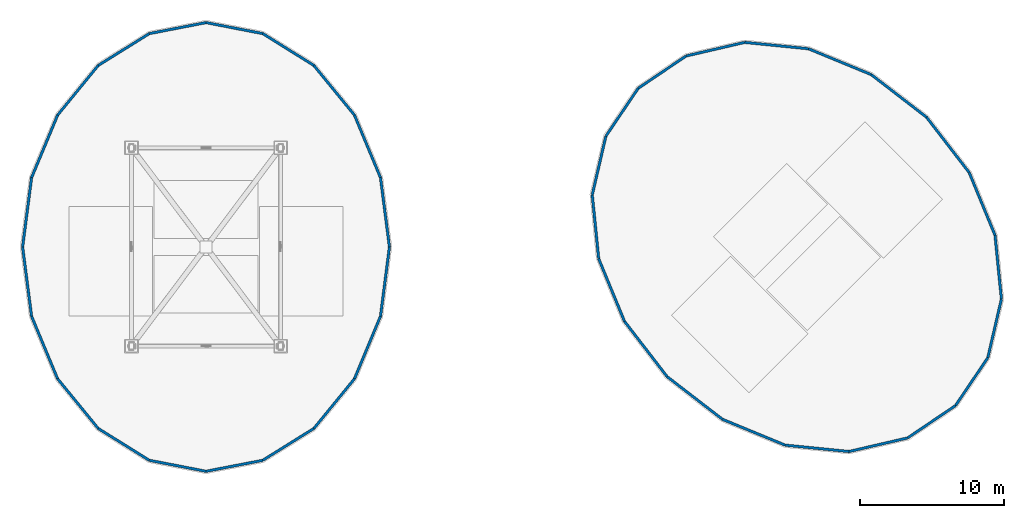
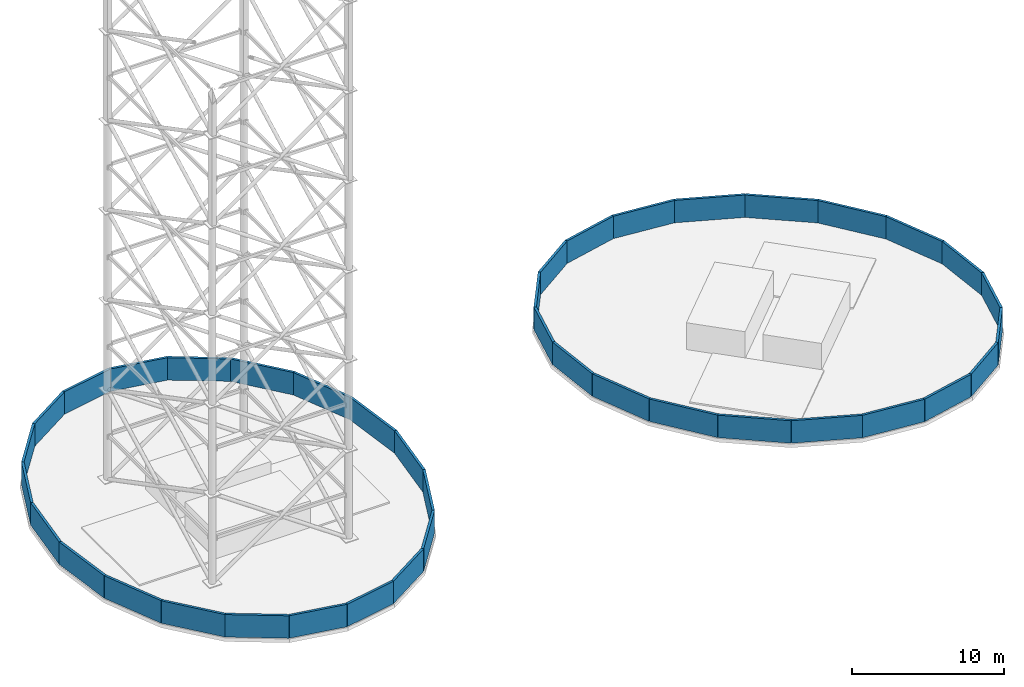
# One storey, part 6 of 7: 40 walls.
"""IFC4 building model written with IfcOpenShell, lengths in metres."""

import ifcopenshell
import ifcopenshell.guid

model = None  # the IFC model being written
_history = None  # IfcOwnerHistory: only IFC2X3 demands one
_inside = {}  # id of a spatial element -> (the spatial element, [elements in it])
_under = {}  # id of a project, library or spatial element -> (it, [spatial elements below it])
_declared = {}  # id of a project -> (the project, [libraries it declares])
_typed = {}  # id of a type object -> (the type object, [elements of that type])
_made_of = {}  # id of a material, layer set ... -> (it, [elements and type objects made of it])


def new_model(schema):
    """Start an empty IFC model of exactly this schema.

    Asked for "IFC4X3", IfcOpenShell would pick the latest addendum, in which some entities
    have other attributes; the version numbers below select the first issue.
    IFC2X3 requires an IfcOwnerHistory on every rooted entity: one is made here for all.
    """
    global model, _history
    if schema == "IFC4X3":
        model = ifcopenshell.file(schema_version=(4, 3, 0, 0))
    else:
        model = ifcopenshell.file(schema=schema)
    _inside.clear()
    _under.clear()
    _declared.clear()
    _typed.clear()
    _made_of.clear()
    _history = None
    if model.schema == "IFC2X3":
        org = make("IfcOrganization", Name="unknown")
        user = make(
            "IfcPersonAndOrganization",
            ThePerson=make("IfcPerson", FamilyName="unknown"),
            TheOrganization=org,
        )
        app = make(
            "IfcApplication",
            ApplicationDeveloper=org,
            Version="unknown",
            ApplicationFullName="unknown",
            ApplicationIdentifier="unknown",
        )
        _history = make(
            "IfcOwnerHistory",
            OwningUser=user,
            OwningApplication=app,
            ChangeAction="ADDED",
            CreationDate=0,
        )
    return model


def make(cls, **values):
    """One entity of the class cls with the attributes given. An attribute that is None is left unset."""
    return model.create_entity(
        cls, **{name: value for name, value in values.items() if value is not None}
    )


def rooted(cls, **values):
    """An entity with a GlobalId (a new one), such as an element, a storey or a relation."""
    return make(cls, GlobalId=ifcopenshell.guid.new(), OwnerHistory=_history, **values)


def si_unit(unit_type, name, prefix=None):
    """IfcSIUnit, for example si_unit("LENGTHUNIT", "METRE", prefix="MILLI")."""
    return make("IfcSIUnit", UnitType=unit_type, Prefix=prefix, Name=name)


def assignment(units):
    """IfcUnitAssignment: the units of a project."""
    return None if units is None else make("IfcUnitAssignment", Units=units)


def point(xyz):
    """IfcCartesianPoint."""
    return None if xyz is None else make("IfcCartesianPoint", Coordinates=xyz)


def direction(xyz):
    """IfcDirection."""
    return None if xyz is None else make("IfcDirection", DirectionRatios=xyz)


def frame(location, z_axis=None, x_axis=None):
    """IfcAxis2Placement3D, a coordinate frame: its origin and axes. An axis left out is left unset."""
    return make(
        "IfcAxis2Placement3D",
        Location=point(location),
        Axis=direction(z_axis),
        RefDirection=direction(x_axis),
    )


def frame_2d(location, x_axis=None):
    """IfcAxis2Placement2D, a coordinate frame in the plane: its origin and x axis."""
    return make(
        "IfcAxis2Placement2D", Location=point(location), RefDirection=direction(x_axis)
    )


def origin():
    """The frame at (0, 0, 0) with its axes left unset."""
    return frame((0.0, 0.0, 0.0))


def place(relative_to, where):
    """IfcLocalPlacement: puts the frame where relative to a parent placement (None: the world)."""
    return make(
        "IfcLocalPlacement", PlacementRelTo=relative_to, RelativePlacement=where
    )


def context(
    kind, dimensions, precision=None, world=None, true_north=None, identifier=None
):
    """IfcGeometricRepresentationContext, for example the 3D "Model" context."""
    return make(
        "IfcGeometricRepresentationContext",
        ContextIdentifier=identifier,
        ContextType=kind,
        CoordinateSpaceDimension=dimensions,
        Precision=precision,
        WorldCoordinateSystem=world,
        TrueNorth=true_north,
    )


def subcontext(parent, identifier, kind, view, scale=None):
    """IfcGeometricRepresentationSubContext, for example "Body" below "Model"."""
    return make(
        "IfcGeometricRepresentationSubContext",
        ContextIdentifier=identifier,
        ContextType=kind,
        ParentContext=parent,
        TargetScale=scale,
        TargetView=view,
    )


def project(units=None, contexts=None):
    """IfcProject with its units and contexts."""
    return rooted(
        "IfcProject",
        Name="project",
        RepresentationContexts=contexts,
        UnitsInContext=assignment(units),
    )


def spatial(cls, under=None, at=None, **own):
    """A site, building, storey or space (cls), placed at a placement, below another one or the project."""
    s = rooted(cls, ObjectPlacement=at, **own)
    if under is not None:
        _under.setdefault(under.id(), (under, []))[1].append(s)
    return s


def profile(cls, at=None, kind="AREA", **sizes):
    """A parametric profile (cls). Its sizes go by their IFC names, for example OverallWidth=200.0."""
    return make(cls, ProfileType=kind, Position=at, **sizes)


def rectangle(**sizes):
    """IfcRectangleProfileDef."""
    return profile("IfcRectangleProfileDef", **sizes)


def extrude(swept, where, along, depth):
    """IfcExtrudedAreaSolid: the profile swept, set in the frame where, extruded along a direction by depth."""
    return make(
        "IfcExtrudedAreaSolid",
        SweptArea=swept,
        Position=where,
        ExtrudedDirection=direction(along),
        Depth=depth,
    )


def shape(context_of_items, identifier, shape_type, items):
    """IfcShapeRepresentation: the items that make up one representation, for example the "Body"."""
    return make(
        "IfcShapeRepresentation",
        ContextOfItems=context_of_items,
        RepresentationIdentifier=identifier,
        RepresentationType=shape_type,
        Items=items,
    )


def material(Name=None, Category=None):
    """IfcMaterial."""
    return make("IfcMaterial", Name=Name, Category=Category)


def layer(
    of_material, thickness, ventilated=None, Name=None, Category=None, Priority=None
):
    """IfcMaterialLayer: one layer of a wall or slab, of a material (None: an air gap)."""
    return make(
        "IfcMaterialLayer",
        Material=of_material,
        LayerThickness=thickness,
        IsVentilated=ventilated,
        Name=Name,
        Category=Category,
        Priority=Priority,
    )


def layer_set(layers, Name=None):
    """IfcMaterialLayerSet."""
    return make("IfcMaterialLayerSet", MaterialLayers=layers, LayerSetName=Name)


def made_of(thing, what):
    """Note that an element or type object is made of a material, layer set ...; save() writes the relation."""
    if what is not None:
        _made_of.setdefault(what.id(), (what, []))[1].append(thing)
    return thing


def type_object(cls, material=None, **own):
    """A type object (cls), such as IfcWallType, which elements share."""
    return made_of(rooted(cls, **own), material)


def element(
    cls,
    number,
    at=None,
    inside=None,
    cuts=None,
    type_object=None,
    material=None,
    context=None,
    identifier="Body",
    shape_type=None,
    held_by="IfcProductDefinitionShape",
    body=None,
    shapes=None,
    **own,
):
    """One element of the class cls, such as IfcWall. Its Tag is "e" and its number.

    at: its placement. inside: the storey or other place that contains it. cuts: it is an
    opening in that element (IfcRelVoidsElement). A single representation is given by context,
    identifier, shape_type and body (its items); several are given by shapes. held_by: the class
    of the entity that holds the representations. save() writes the other relations.
    """
    e = rooted(cls, Tag="e%d" % number, ObjectPlacement=at, **own)
    if body is not None:
        shapes = [shape(context, identifier, shape_type, body)]
    if shapes is not None:
        e.Representation = make(held_by, Representations=shapes)
    if inside is not None:
        _inside.setdefault(inside.id(), (inside, []))[1].append(e)
    if cuts is not None:
        rooted(
            "IfcRelVoidsElement", RelatingBuildingElement=cuts, RelatedOpeningElement=e
        )
    if type_object is not None:
        _typed.setdefault(type_object.id(), (type_object, []))[1].append(e)
    return made_of(e, material)


def aggregate(whole, parts):
    """IfcRelAggregates: a whole, such as a stair, and the parts it consists of."""
    return rooted("IfcRelAggregates", RelatingObject=whole, RelatedObjects=parts)


def save(model, path):
    """Write the relations noted so far, then the file.

    IfcRelAggregates (storeys below a building ...), IfcRelContainedInSpatialStructure (elements
    in a storey), IfcRelDefinesByType, IfcRelAssociatesMaterial and IfcRelDeclares: one each for
    every whole, place, type object, material and project.
    """
    for whole, parts in _under.values():
        aggregate(whole, parts)
    for where, things in _inside.values():
        rooted(
            "IfcRelContainedInSpatialStructure",
            RelatedElements=things,
            RelatingStructure=where,
        )
    for kind, things in _typed.values():
        rooted("IfcRelDefinesByType", RelatedObjects=things, RelatingType=kind)
    for what, things in _made_of.values():
        rooted("IfcRelAssociatesMaterial", RelatedObjects=things, RelatingMaterial=what)
    for by, libraries in _declared.values():
        rooted("IfcRelDeclares", RelatingContext=by, RelatedDefinitions=libraries)
    model.write(path)


model = new_model("IFC4")

# Units and contexts
model_context = context("Model", 3, precision=1e-05, world=origin(), true_north=direction((0.0, 1.0)))
body_context = subcontext(model_context, "Body", "Model", "MODEL_VIEW")
ifc_project = project(units=[si_unit("LENGTHUNIT", "METRE"), si_unit("AREAUNIT", "SQUARE_METRE"), si_unit("VOLUMEUNIT", "CUBIC_METRE"), si_unit("PLANEANGLEUNIT", "RADIAN"), si_unit("MASSUNIT", "GRAM", prefix="KILO")], contexts=[model_context])

# Site, building, storey
site_placement = place(None, origin())
site = spatial("IfcSite", under=ifc_project, at=site_placement, CompositionType="ELEMENT")
building_placement = place(site_placement, origin())
building = spatial("IfcBuilding", under=site, at=building_placement, Name="Cununo Teusaquillo Station Towers", CompositionType="ELEMENT")
storey_placement = place(building_placement, frame((0.0, 0.0, 244.830078125)))
storey = spatial("IfcBuildingStorey", under=building, at=storey_placement, Name="Roof Drum", CompositionType="ELEMENT", Elevation=244.830078125)

# Walls
ifc_material = material(Name="Ceramic-fritted dark low-E double glazing", Category="glass")
ifc_layer = layer(ifc_material, 0.179931640625)
ifc_layer_set = layer_set([ifc_layer], Name="Ceramic-fritted dark low-E double glazing")
wall_type = type_object("IfcWallType", Name="WL-PAR-180", PredefinedType="PARAPET", material=ifc_layer_set)
wall_1_placement = place(storey_placement, frame((28.60693359375, 29.311279296875, 0.0), z_axis=(0.0, 0.0, 1.0), x_axis=(0.128424799616, -0.991719250012, 0.0)))
element("IfcWall", 1, at=wall_1_placement, inside=storey, type_object=wall_type, Name="Roof Drum Tower A Glazed Parapet C00", PredefinedType="PARAPET", context=body_context, shape_type="SweptSolid", body=[
    extrude(rectangle(XDim=4.8515625, YDim=0.179931640625, at=frame_2d((2.42578125, 0.0))), origin(), (0.0, 0.0, 1.0), 1.7998046875),
])
wall_2_placement = place(storey_placement, frame((26.798828125, 33.65185546875, 0.0), z_axis=(0.0, 0.0, 1.0), x_axis=(0.384530588126, -0.923112250377, 0.0)))
element("IfcWall", 2, at=wall_2_placement, inside=storey, type_object=wall_type, Name="Roof Drum Tower A Glazed Parapet C01", PredefinedType="PARAPET", context=body_context, shape_type="SweptSolid", body=[
    extrude(rectangle(XDim=4.7021484375, YDim=0.179931640625, at=frame_2d((2.35107421875, 0.0))), origin(), (0.0, 0.0, 1.0), 1.7998046875),
])
wall_3_placement = place(storey_placement, frame((23.982421875, 37.096435546875, 0.0), z_axis=(0.0, 0.0, 1.0), x_axis=(0.632983777299, -0.774165058418, 0.0)))
element("IfcWall", 3, at=wall_3_placement, inside=storey, type_object=wall_type, Name="Roof Drum Tower A Glazed Parapet C02", PredefinedType="PARAPET", context=body_context, shape_type="SweptSolid", body=[
    extrude(rectangle(XDim=4.449462890625, YDim=0.179931640625, at=frame_2d((2.224609375, 0.0))), origin(), (0.0, 0.0, 1.0), 1.7998046875),
])
wall_4_placement = place(storey_placement, frame((20.433837890625, 39.307861328125, 0.0), z_axis=(0.0, 0.0, 1.0), x_axis=(0.848689724734, -0.528891057904, 0.0)))
element("IfcWall", 4, at=wall_4_placement, inside=storey, type_object=wall_type, Name="Roof Drum Tower A Glazed Parapet C03", PredefinedType="PARAPET", context=body_context, shape_type="SweptSolid", body=[
    extrude(rectangle(XDim=4.18115234375, YDim=0.179931640625, at=frame_2d((2.090576171875, 0.0))), origin(), (0.0, 0.0, 1.0), 1.7998046875),
])
for number, where, z_axis, x_axis, name in (
    (5, (16.5, 40.070068359375, 0.0), (0.0, 0.0, 1.0), (0.981741697005, -0.190218927453, 0.0), "Roof Drum Tower A Glazed Parapet C04"),
    (6, (12.566162109375, 39.307861328125, 0.0), (0.0, 0.0, 1.0), (0.981741697005, 0.190218927453, 0.0), "Roof Drum Tower A Glazed Parapet C05"),
):
    element("IfcWall", number, at=place(storey_placement, frame(where, z_axis=z_axis, x_axis=x_axis)), inside=storey, type_object=wall_type, Name=name, PredefinedType="PARAPET", context=body_context, shape_type="SweptSolid", body=[
        extrude(rectangle(XDim=4.007080078125, YDim=0.179931640625, at=frame_2d((2.00341796875, 0.0))), origin(), (0.0, 0.0, 1.0), 1.7998046875),
    ])
wall_5_placement = place(storey_placement, frame((9.017578125, 37.096435546875, 0.0), z_axis=(0.0, 0.0, 1.0), x_axis=(0.848689724734, 0.528891057904, 0.0)))
element("IfcWall", 7, at=wall_5_placement, inside=storey, type_object=wall_type, Name="Roof Drum Tower A Glazed Parapet C06", PredefinedType="PARAPET", context=body_context, shape_type="SweptSolid", body=[
    extrude(rectangle(XDim=4.18115234375, YDim=0.179931640625, at=frame_2d((2.090576171875, 0.0))), origin(), (0.0, 0.0, 1.0), 1.7998046875),
])
wall_6_placement = place(storey_placement, frame((6.201171875, 33.65185546875, 0.0), z_axis=(0.0, 0.0, 1.0), x_axis=(0.632983777299, 0.774165058418, 0.0)))
element("IfcWall", 8, at=wall_6_placement, inside=storey, type_object=wall_type, Name="Roof Drum Tower A Glazed Parapet C07", PredefinedType="PARAPET", context=body_context, shape_type="SweptSolid", body=[
    extrude(rectangle(XDim=4.449462890625, YDim=0.179931640625, at=frame_2d((2.224609375, 0.0))), origin(), (0.0, 0.0, 1.0), 1.7998046875),
])
wall_7_placement = place(storey_placement, frame((4.39306640625, 29.311279296875, 0.0), z_axis=(0.0, 0.0, 1.0), x_axis=(0.384530588126, 0.923112250377, 0.0)))
element("IfcWall", 9, at=wall_7_placement, inside=storey, type_object=wall_type, Name="Roof Drum Tower A Glazed Parapet C08", PredefinedType="PARAPET", context=body_context, shape_type="SweptSolid", body=[
    extrude(rectangle(XDim=4.7021484375, YDim=0.179931640625, at=frame_2d((2.35107421875, 0.0))), origin(), (0.0, 0.0, 1.0), 1.7998046875),
])
for number, where, z_axis, x_axis, name in (
    (10, (3.77001953125, 24.5, 0.0), (0.0, 0.0, 1.0), (0.128424799616, 0.991719250012, 0.0), "Roof Drum Tower A Glazed Parapet C09"),
    (11, (4.39306640625, 19.688720703125, 0.0), (0.0, 0.0, 1.0), (-0.128424799616, 0.991719250012, 0.0), "Roof Drum Tower A Glazed Parapet C10"),
):
    element("IfcWall", number, at=place(storey_placement, frame(where, z_axis=z_axis, x_axis=x_axis)), inside=storey, type_object=wall_type, Name=name, PredefinedType="PARAPET", context=body_context, shape_type="SweptSolid", body=[
        extrude(rectangle(XDim=4.8515625, YDim=0.179931640625, at=frame_2d((2.42578125, 0.0))), origin(), (0.0, 0.0, 1.0), 1.7998046875),
    ])
wall_8_placement = place(storey_placement, frame((6.201171875, 15.34814453125, 0.0), z_axis=(0.0, 0.0, 1.0), x_axis=(-0.384530588126, 0.923112250377, 0.0)))
element("IfcWall", 12, at=wall_8_placement, inside=storey, type_object=wall_type, Name="Roof Drum Tower A Glazed Parapet C11", PredefinedType="PARAPET", context=body_context, shape_type="SweptSolid", body=[
    extrude(rectangle(XDim=4.7021484375, YDim=0.179931640625, at=frame_2d((2.35107421875, 0.0))), origin(), (0.0, 0.0, 1.0), 1.7998046875),
])
wall_9_placement = place(storey_placement, frame((9.017578125, 11.903564453125, 0.0), z_axis=(0.0, 0.0, 1.0), x_axis=(-0.632983777299, 0.774165058418, 0.0)))
element("IfcWall", 13, at=wall_9_placement, inside=storey, type_object=wall_type, Name="Roof Drum Tower A Glazed Parapet C12", PredefinedType="PARAPET", context=body_context, shape_type="SweptSolid", body=[
    extrude(rectangle(XDim=4.449462890625, YDim=0.179931640625, at=frame_2d((2.224609375, 0.0))), origin(), (0.0, 0.0, 1.0), 1.7998046875),
])
wall_10_placement = place(storey_placement, frame((12.566162109375, 9.692138671875, 0.0), z_axis=(0.0, 0.0, 1.0), x_axis=(-0.848689724734, 0.528891057904, 0.0)))
element("IfcWall", 14, at=wall_10_placement, inside=storey, type_object=wall_type, Name="Roof Drum Tower A Glazed Parapet C13", PredefinedType="PARAPET", context=body_context, shape_type="SweptSolid", body=[
    extrude(rectangle(XDim=4.18115234375, YDim=0.179931640625, at=frame_2d((2.090576171875, 0.0))), origin(), (0.0, 0.0, 1.0), 1.7998046875),
])
for number, where, z_axis, x_axis, name in (
    (15, (16.5, 8.929931640625, 0.0), (0.0, 0.0, 1.0), (-0.981741697005, 0.190218927453, 0.0), "Roof Drum Tower A Glazed Parapet C14"),
    (16, (20.433837890625, 9.692138671875, 0.0), (0.0, 0.0, 1.0), (-0.981741697005, -0.190218927453, 0.0), "Roof Drum Tower A Glazed Parapet C15"),
):
    element("IfcWall", number, at=place(storey_placement, frame(where, z_axis=z_axis, x_axis=x_axis)), inside=storey, type_object=wall_type, Name=name, PredefinedType="PARAPET", context=body_context, shape_type="SweptSolid", body=[
        extrude(rectangle(XDim=4.007080078125, YDim=0.179931640625, at=frame_2d((2.00341796875, 0.0))), origin(), (0.0, 0.0, 1.0), 1.7998046875),
    ])
wall_11_placement = place(storey_placement, frame((23.982421875, 11.903564453125, 0.0), z_axis=(0.0, 0.0, 1.0), x_axis=(-0.848689724734, -0.528891057904, 0.0)))
element("IfcWall", 17, at=wall_11_placement, inside=storey, type_object=wall_type, Name="Roof Drum Tower A Glazed Parapet C16", PredefinedType="PARAPET", context=body_context, shape_type="SweptSolid", body=[
    extrude(rectangle(XDim=4.18115234375, YDim=0.179931640625, at=frame_2d((2.090576171875, 0.0))), origin(), (0.0, 0.0, 1.0), 1.7998046875),
])
wall_12_placement = place(storey_placement, frame((26.798828125, 15.34814453125, 0.0), z_axis=(0.0, 0.0, 1.0), x_axis=(-0.632983777299, -0.774165058418, 0.0)))
element("IfcWall", 18, at=wall_12_placement, inside=storey, type_object=wall_type, Name="Roof Drum Tower A Glazed Parapet C17", PredefinedType="PARAPET", context=body_context, shape_type="SweptSolid", body=[
    extrude(rectangle(XDim=4.449462890625, YDim=0.179931640625, at=frame_2d((2.224609375, 0.0))), origin(), (0.0, 0.0, 1.0), 1.7998046875),
])
wall_13_placement = place(storey_placement, frame((28.60693359375, 19.688720703125, 0.0), z_axis=(0.0, 0.0, 1.0), x_axis=(-0.384530588126, -0.923112250377, 0.0)))
element("IfcWall", 19, at=wall_13_placement, inside=storey, type_object=wall_type, Name="Roof Drum Tower A Glazed Parapet C18", PredefinedType="PARAPET", context=body_context, shape_type="SweptSolid", body=[
    extrude(rectangle(XDim=4.7021484375, YDim=0.179931640625, at=frame_2d((2.35107421875, 0.0))), origin(), (0.0, 0.0, 1.0), 1.7998046875),
])
for number, where, z_axis, x_axis, name in (
    (20, (29.22998046875, 24.5, 0.0), (0.0, 0.0, 1.0), (-0.128424799616, -0.991719250012, 0.0), "Roof Drum Tower A Glazed Parapet C19"),
    (21, (62.65869140625, 36.462890625, 0.0), (0.0, 0.0, 1.0), (0.792081161679, -0.610415787241, 0.0), "Roof Drum Tower B Glazed Parapet C00"),
):
    element("IfcWall", number, at=place(storey_placement, frame(where, z_axis=z_axis, x_axis=x_axis)), inside=storey, type_object=wall_type, Name=name, PredefinedType="PARAPET", context=body_context, shape_type="SweptSolid", body=[
        extrude(rectangle(XDim=4.8515625, YDim=0.179931640625, at=frame_2d((2.42578125, 0.0))), origin(), (0.0, 0.0, 1.0), 1.7998046875),
    ])
wall_14_placement = place(storey_placement, frame((58.31103515625, 38.253662109375, 0.0), z_axis=(0.0, 0.0, 1.0), x_axis=(0.924636155449, -0.380851650956, 0.0)))
element("IfcWall", 22, at=wall_14_placement, inside=storey, type_object=wall_type, Name="Roof Drum Tower B Glazed Parapet C01", PredefinedType="PARAPET", context=body_context, shape_type="SweptSolid", body=[
    extrude(rectangle(XDim=4.701904296875, YDim=0.179931640625, at=frame_2d((2.35107421875, 0.0))), origin(), (0.0, 0.0, 1.0), 1.7998046875),
])
wall_15_placement = place(storey_placement, frame((53.8837890625, 38.697998046875, 0.0), z_axis=(0.0, 0.0, 1.0), x_axis=(0.995001270373, -0.099862264921, 0.0)))
element("IfcWall", 23, at=wall_15_placement, inside=storey, type_object=wall_type, Name="Roof Drum Tower B Glazed Parapet C02", PredefinedType="PARAPET", context=body_context, shape_type="SweptSolid", body=[
    extrude(rectangle(XDim=4.449462890625, YDim=0.179931640625, at=frame_2d((2.224609375, 0.0))), origin(), (0.0, 0.0, 1.0), 1.7998046875),
])
wall_16_placement = place(storey_placement, frame((49.810791015625, 37.75244140625, 0.0), z_axis=(0.0, 0.0, 1.0), x_axis=(0.974095133197, 0.226138611213, 0.0)))
element("IfcWall", 24, at=wall_16_placement, inside=storey, type_object=wall_type, Name="Roof Drum Tower B Glazed Parapet C03", PredefinedType="PARAPET", context=body_context, shape_type="SweptSolid", body=[
    extrude(rectangle(XDim=4.181396484375, YDim=0.179931640625, at=frame_2d((2.0908203125, 0.0))), origin(), (0.0, 0.0, 1.0), 1.7998046875),
])
for number, where, z_axis, x_axis, name in (
    (25, (46.490234375, 35.509765625, 0.0), (0.0, 0.0, 1.0), (0.828698191598, 0.559695727375, 0.0), "Roof Drum Tower B Glazed Parapet C04"),
    (26, (44.24755859375, 32.189208984375, 0.0), (0.0, 0.0, 1.0), (0.559695727375, 0.828698191598, 0.0), "Roof Drum Tower B Glazed Parapet C05"),
):
    element("IfcWall", number, at=place(storey_placement, frame(where, z_axis=z_axis, x_axis=x_axis)), inside=storey, type_object=wall_type, Name=name, PredefinedType="PARAPET", context=body_context, shape_type="SweptSolid", body=[
        extrude(rectangle(XDim=4.0068359375, YDim=0.179931640625, at=frame_2d((2.00341796875, 0.0))), origin(), (0.0, 0.0, 1.0), 1.7998046875),
    ])
wall_17_placement = place(storey_placement, frame((43.302001953125, 28.1162109375, 0.0), z_axis=(0.0, 0.0, 1.0), x_axis=(0.226138611213, 0.974095133197, 0.0)))
element("IfcWall", 27, at=wall_17_placement, inside=storey, type_object=wall_type, Name="Roof Drum Tower B Glazed Parapet C06", PredefinedType="PARAPET", context=body_context, shape_type="SweptSolid", body=[
    extrude(rectangle(XDim=4.181396484375, YDim=0.179931640625, at=frame_2d((2.0908203125, 0.0))), origin(), (0.0, 0.0, 1.0), 1.7998046875),
])
wall_18_placement = place(storey_placement, frame((43.746337890625, 23.68896484375, 0.0), z_axis=(0.0, 0.0, 1.0), x_axis=(-0.099862264921, 0.995001270373, 0.0)))
element("IfcWall", 28, at=wall_18_placement, inside=storey, type_object=wall_type, Name="Roof Drum Tower B Glazed Parapet C07", PredefinedType="PARAPET", context=body_context, shape_type="SweptSolid", body=[
    extrude(rectangle(XDim=4.449462890625, YDim=0.179931640625, at=frame_2d((2.224609375, 0.0))), origin(), (0.0, 0.0, 1.0), 1.7998046875),
])
wall_19_placement = place(storey_placement, frame((45.537109375, 19.34130859375, 0.0), z_axis=(0.0, 0.0, 1.0), x_axis=(-0.380851650956, 0.924636155449, 0.0)))
element("IfcWall", 29, at=wall_19_placement, inside=storey, type_object=wall_type, Name="Roof Drum Tower B Glazed Parapet C08", PredefinedType="PARAPET", context=body_context, shape_type="SweptSolid", body=[
    extrude(rectangle(XDim=4.701904296875, YDim=0.179931640625, at=frame_2d((2.35107421875, 0.0))), origin(), (0.0, 0.0, 1.0), 1.7998046875),
])
for number, where, z_axis, x_axis, name in (
    (30, (48.49853515625, 15.49853515625, 0.0), (0.0, 0.0, 1.0), (-0.610415787241, 0.792081161679, 0.0), "Roof Drum Tower B Glazed Parapet C09"),
    (31, (52.34130859375, 12.537109375, 0.0), (0.0, 0.0, 1.0), (-0.792081161679, 0.610415787241, 0.0), "Roof Drum Tower B Glazed Parapet C10"),
):
    element("IfcWall", number, at=place(storey_placement, frame(where, z_axis=z_axis, x_axis=x_axis)), inside=storey, type_object=wall_type, Name=name, PredefinedType="PARAPET", context=body_context, shape_type="SweptSolid", body=[
        extrude(rectangle(XDim=4.8515625, YDim=0.179931640625, at=frame_2d((2.42578125, 0.0))), origin(), (0.0, 0.0, 1.0), 1.7998046875),
    ])
wall_20_placement = place(storey_placement, frame((56.68896484375, 10.746337890625, 0.0), z_axis=(0.0, 0.0, 1.0), x_axis=(-0.924636155449, 0.380851650956, 0.0)))
element("IfcWall", 32, at=wall_20_placement, inside=storey, type_object=wall_type, Name="Roof Drum Tower B Glazed Parapet C11", PredefinedType="PARAPET", context=body_context, shape_type="SweptSolid", body=[
    extrude(rectangle(XDim=4.701904296875, YDim=0.179931640625, at=frame_2d((2.35107421875, 0.0))), origin(), (0.0, 0.0, 1.0), 1.7998046875),
])
wall_21_placement = place(storey_placement, frame((61.1162109375, 10.302001953125, 0.0), z_axis=(0.0, 0.0, 1.0), x_axis=(-0.995001270373, 0.099862264921, 0.0)))
element("IfcWall", 33, at=wall_21_placement, inside=storey, type_object=wall_type, Name="Roof Drum Tower B Glazed Parapet C12", PredefinedType="PARAPET", context=body_context, shape_type="SweptSolid", body=[
    extrude(rectangle(XDim=4.449462890625, YDim=0.179931640625, at=frame_2d((2.224609375, 0.0))), origin(), (0.0, 0.0, 1.0), 1.7998046875),
])
wall_22_placement = place(storey_placement, frame((65.189208984375, 11.24755859375, 0.0), z_axis=(0.0, 0.0, 1.0), x_axis=(-0.974095133197, -0.226138611213, 0.0)))
element("IfcWall", 34, at=wall_22_placement, inside=storey, type_object=wall_type, Name="Roof Drum Tower B Glazed Parapet C13", PredefinedType="PARAPET", context=body_context, shape_type="SweptSolid", body=[
    extrude(rectangle(XDim=4.181396484375, YDim=0.179931640625, at=frame_2d((2.0908203125, 0.0))), origin(), (0.0, 0.0, 1.0), 1.7998046875),
])
for number, where, z_axis, x_axis, name in (
    (35, (68.509765625, 13.490234375, 0.0), (0.0, 0.0, 1.0), (-0.828698191598, -0.559695727375, 0.0), "Roof Drum Tower B Glazed Parapet C14"),
    (36, (70.75244140625, 16.810791015625, 0.0), (0.0, 0.0, 1.0), (-0.559695727375, -0.828698191598, 0.0), "Roof Drum Tower B Glazed Parapet C15"),
):
    element("IfcWall", number, at=place(storey_placement, frame(where, z_axis=z_axis, x_axis=x_axis)), inside=storey, type_object=wall_type, Name=name, PredefinedType="PARAPET", context=body_context, shape_type="SweptSolid", body=[
        extrude(rectangle(XDim=4.0068359375, YDim=0.179931640625, at=frame_2d((2.00341796875, 0.0))), origin(), (0.0, 0.0, 1.0), 1.7998046875),
    ])
wall_23_placement = place(storey_placement, frame((71.697998046875, 20.8837890625, 0.0), z_axis=(0.0, 0.0, 1.0), x_axis=(-0.226138611213, -0.974095133197, 0.0)))
element("IfcWall", 37, at=wall_23_placement, inside=storey, type_object=wall_type, Name="Roof Drum Tower B Glazed Parapet C16", PredefinedType="PARAPET", context=body_context, shape_type="SweptSolid", body=[
    extrude(rectangle(XDim=4.181396484375, YDim=0.179931640625, at=frame_2d((2.0908203125, 0.0))), origin(), (0.0, 0.0, 1.0), 1.7998046875),
])
wall_24_placement = place(storey_placement, frame((71.253662109375, 25.31103515625, 0.0), z_axis=(0.0, 0.0, 1.0), x_axis=(0.099862264921, -0.995001270373, 0.0)))
element("IfcWall", 38, at=wall_24_placement, inside=storey, type_object=wall_type, Name="Roof Drum Tower B Glazed Parapet C17", PredefinedType="PARAPET", context=body_context, shape_type="SweptSolid", body=[
    extrude(rectangle(XDim=4.449462890625, YDim=0.179931640625, at=frame_2d((2.224609375, 0.0))), origin(), (0.0, 0.0, 1.0), 1.7998046875),
])
wall_25_placement = place(storey_placement, frame((69.462890625, 29.65869140625, 0.0), z_axis=(0.0, 0.0, 1.0), x_axis=(0.380851650956, -0.924636155449, 0.0)))
element("IfcWall", 39, at=wall_25_placement, inside=storey, type_object=wall_type, Name="Roof Drum Tower B Glazed Parapet C18", PredefinedType="PARAPET", context=body_context, shape_type="SweptSolid", body=[
    extrude(rectangle(XDim=4.701904296875, YDim=0.179931640625, at=frame_2d((2.35107421875, 0.0))), origin(), (0.0, 0.0, 1.0), 1.7998046875),
])
wall_26_placement = place(storey_placement, frame((66.50146484375, 33.50146484375, 0.0), z_axis=(0.0, 0.0, 1.0), x_axis=(0.610415787241, -0.792081161679, 0.0)))
element("IfcWall", 40, at=wall_26_placement, inside=storey, type_object=wall_type, Name="Roof Drum Tower B Glazed Parapet C19", PredefinedType="PARAPET", context=body_context, shape_type="SweptSolid", body=[
    extrude(rectangle(XDim=4.8515625, YDim=0.179931640625, at=frame_2d((2.42578125, 0.0))), origin(), (0.0, 0.0, 1.0), 1.7998046875),
])

save(model, "model.ifc")
